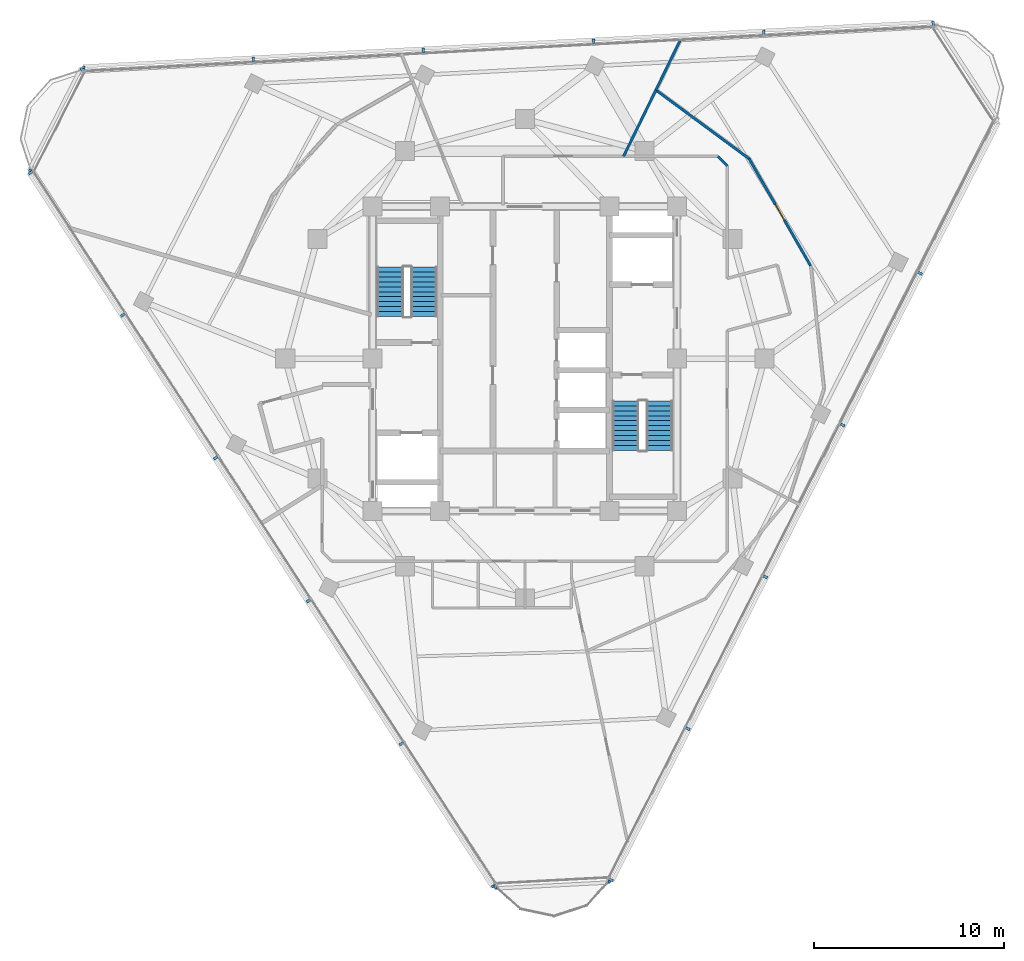
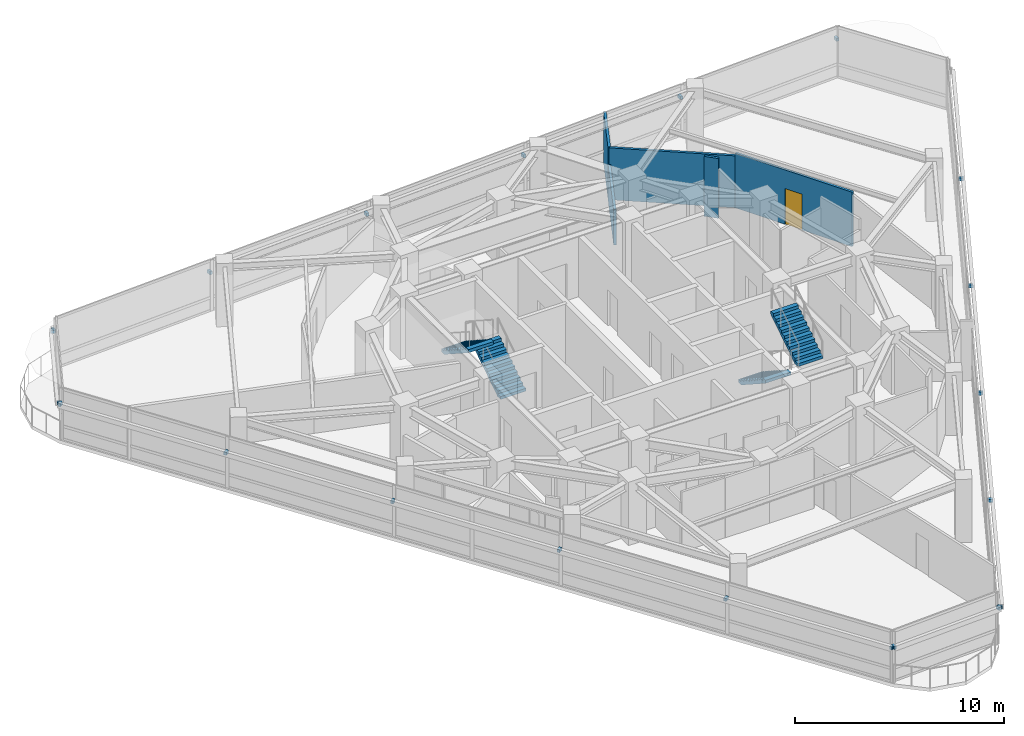
# One storey, part 10 of 15: 21 discrete accessories, 5 walls, 4 stair flights, 1 door, 1 opening, 2 elements without a shape of their own.
"""IFC4 building model written with IfcOpenShell, lengths in metres."""

import ifcopenshell
import ifcopenshell.guid

model = None  # the IFC model being written
_history = None  # IfcOwnerHistory: only IFC2X3 demands one
_inside = {}  # id of a spatial element -> (the spatial element, [elements in it])
_under = {}  # id of a project, library or spatial element -> (it, [spatial elements below it])
_declared = {}  # id of a project -> (the project, [libraries it declares])
_typed = {}  # id of a type object -> (the type object, [elements of that type])
_made_of = {}  # id of a material, layer set ... -> (it, [elements and type objects made of it])


def new_model(schema):
    """Start an empty IFC model of exactly this schema.

    Asked for "IFC4X3", IfcOpenShell would pick the latest addendum, in which some entities
    have other attributes; the version numbers below select the first issue.
    IFC2X3 requires an IfcOwnerHistory on every rooted entity: one is made here for all.
    """
    global model, _history
    if schema == "IFC4X3":
        model = ifcopenshell.file(schema_version=(4, 3, 0, 0))
    else:
        model = ifcopenshell.file(schema=schema)
    _inside.clear()
    _under.clear()
    _declared.clear()
    _typed.clear()
    _made_of.clear()
    _history = None
    if model.schema == "IFC2X3":
        org = make("IfcOrganization", Name="unknown")
        user = make(
            "IfcPersonAndOrganization",
            ThePerson=make("IfcPerson", FamilyName="unknown"),
            TheOrganization=org,
        )
        app = make(
            "IfcApplication",
            ApplicationDeveloper=org,
            Version="unknown",
            ApplicationFullName="unknown",
            ApplicationIdentifier="unknown",
        )
        _history = make(
            "IfcOwnerHistory",
            OwningUser=user,
            OwningApplication=app,
            ChangeAction="ADDED",
            CreationDate=0,
        )
    return model


def make(cls, **values):
    """One entity of the class cls with the attributes given. An attribute that is None is left unset."""
    return model.create_entity(
        cls, **{name: value for name, value in values.items() if value is not None}
    )


def rooted(cls, **values):
    """An entity with a GlobalId (a new one), such as an element, a storey or a relation."""
    return make(cls, GlobalId=ifcopenshell.guid.new(), OwnerHistory=_history, **values)


def si_unit(unit_type, name, prefix=None):
    """IfcSIUnit, for example si_unit("LENGTHUNIT", "METRE", prefix="MILLI")."""
    return make("IfcSIUnit", UnitType=unit_type, Prefix=prefix, Name=name)


def assignment(units):
    """IfcUnitAssignment: the units of a project."""
    return None if units is None else make("IfcUnitAssignment", Units=units)


def point(xyz):
    """IfcCartesianPoint."""
    return None if xyz is None else make("IfcCartesianPoint", Coordinates=xyz)


def direction(xyz):
    """IfcDirection."""
    return None if xyz is None else make("IfcDirection", DirectionRatios=xyz)


def frame(location, z_axis=None, x_axis=None):
    """IfcAxis2Placement3D, a coordinate frame: its origin and axes. An axis left out is left unset."""
    return make(
        "IfcAxis2Placement3D",
        Location=point(location),
        Axis=direction(z_axis),
        RefDirection=direction(x_axis),
    )


def frame_2d(location, x_axis=None):
    """IfcAxis2Placement2D, a coordinate frame in the plane: its origin and x axis."""
    return make(
        "IfcAxis2Placement2D", Location=point(location), RefDirection=direction(x_axis)
    )


def origin():
    """The frame at (0, 0, 0) with its axes left unset."""
    return frame((0.0, 0.0, 0.0))


def origin_2d():
    """The frame at (0, 0) in the plane with its x axis left unset."""
    return frame_2d((0.0, 0.0))


def place(relative_to, where):
    """IfcLocalPlacement: puts the frame where relative to a parent placement (None: the world)."""
    return make(
        "IfcLocalPlacement", PlacementRelTo=relative_to, RelativePlacement=where
    )


def context(
    kind, dimensions, precision=None, world=None, true_north=None, identifier=None
):
    """IfcGeometricRepresentationContext, for example the 3D "Model" context."""
    return make(
        "IfcGeometricRepresentationContext",
        ContextIdentifier=identifier,
        ContextType=kind,
        CoordinateSpaceDimension=dimensions,
        Precision=precision,
        WorldCoordinateSystem=world,
        TrueNorth=true_north,
    )


def subcontext(parent, identifier, kind, view, scale=None):
    """IfcGeometricRepresentationSubContext, for example "Body" below "Model"."""
    return make(
        "IfcGeometricRepresentationSubContext",
        ContextIdentifier=identifier,
        ContextType=kind,
        ParentContext=parent,
        TargetScale=scale,
        TargetView=view,
    )


def project(units=None, contexts=None):
    """IfcProject with its units and contexts."""
    return rooted(
        "IfcProject",
        Name="project",
        RepresentationContexts=contexts,
        UnitsInContext=assignment(units),
    )


def spatial(cls, under=None, at=None, **own):
    """A site, building, storey or space (cls), placed at a placement, below another one or the project."""
    s = rooted(cls, ObjectPlacement=at, **own)
    if under is not None:
        _under.setdefault(under.id(), (under, []))[1].append(s)
    return s


def polyline(points):
    """IfcPolyline through the points."""
    return make("IfcPolyline", Points=[point(p) for p in points])


def profile(cls, at=None, kind="AREA", **sizes):
    """A parametric profile (cls). Its sizes go by their IFC names, for example OverallWidth=200.0."""
    return make(cls, ProfileType=kind, Position=at, **sizes)


def rectangle(**sizes):
    """IfcRectangleProfileDef."""
    return profile("IfcRectangleProfileDef", **sizes)


def outline(outer, holes=None, kind="AREA"):
    """IfcArbitraryClosedProfileDef: a profile drawn as a closed curve; with holes, ...WithVoids."""
    if holes is None:
        return make("IfcArbitraryClosedProfileDef", ProfileType=kind, OuterCurve=outer)
    return make(
        "IfcArbitraryProfileDefWithVoids",
        ProfileType=kind,
        OuterCurve=outer,
        InnerCurves=holes,
    )


def extrude(swept, where, along, depth):
    """IfcExtrudedAreaSolid: the profile swept, set in the frame where, extruded along a direction by depth."""
    return make(
        "IfcExtrudedAreaSolid",
        SweptArea=swept,
        Position=where,
        ExtrudedDirection=direction(along),
        Depth=depth,
    )


def shape(context_of_items, identifier, shape_type, items):
    """IfcShapeRepresentation: the items that make up one representation, for example the "Body"."""
    return make(
        "IfcShapeRepresentation",
        ContextOfItems=context_of_items,
        RepresentationIdentifier=identifier,
        RepresentationType=shape_type,
        Items=items,
    )


def material(Name=None, Category=None):
    """IfcMaterial."""
    return make("IfcMaterial", Name=Name, Category=Category)


def layer(
    of_material, thickness, ventilated=None, Name=None, Category=None, Priority=None
):
    """IfcMaterialLayer: one layer of a wall or slab, of a material (None: an air gap)."""
    return make(
        "IfcMaterialLayer",
        Material=of_material,
        LayerThickness=thickness,
        IsVentilated=ventilated,
        Name=Name,
        Category=Category,
        Priority=Priority,
    )


def layer_set(layers, Name=None):
    """IfcMaterialLayerSet."""
    return make("IfcMaterialLayerSet", MaterialLayers=layers, LayerSetName=Name)


def made_of(thing, what):
    """Note that an element or type object is made of a material, layer set ...; save() writes the relation."""
    if what is not None:
        _made_of.setdefault(what.id(), (what, []))[1].append(thing)
    return thing


def type_object(cls, material=None, **own):
    """A type object (cls), such as IfcWallType, which elements share."""
    return made_of(rooted(cls, **own), material)


def element(
    cls,
    number,
    at=None,
    inside=None,
    cuts=None,
    type_object=None,
    material=None,
    context=None,
    identifier="Body",
    shape_type=None,
    held_by="IfcProductDefinitionShape",
    body=None,
    shapes=None,
    **own,
):
    """One element of the class cls, such as IfcWall. Its Tag is "e" and its number.

    at: its placement. inside: the storey or other place that contains it. cuts: it is an
    opening in that element (IfcRelVoidsElement). A single representation is given by context,
    identifier, shape_type and body (its items); several are given by shapes. held_by: the class
    of the entity that holds the representations. save() writes the other relations.
    """
    e = rooted(cls, Tag="e%d" % number, ObjectPlacement=at, **own)
    if body is not None:
        shapes = [shape(context, identifier, shape_type, body)]
    if shapes is not None:
        e.Representation = make(held_by, Representations=shapes)
    if inside is not None:
        _inside.setdefault(inside.id(), (inside, []))[1].append(e)
    if cuts is not None:
        rooted(
            "IfcRelVoidsElement", RelatingBuildingElement=cuts, RelatedOpeningElement=e
        )
    if type_object is not None:
        _typed.setdefault(type_object.id(), (type_object, []))[1].append(e)
    return made_of(e, material)


def fill(opening, filler):
    """IfcRelFillsElement: the door or window that sits in an opening."""
    return rooted(
        "IfcRelFillsElement",
        RelatingOpeningElement=opening,
        RelatedBuildingElement=filler,
    )


def aggregate(whole, parts):
    """IfcRelAggregates: a whole, such as a stair, and the parts it consists of."""
    return rooted("IfcRelAggregates", RelatingObject=whole, RelatedObjects=parts)


def save(model, path):
    """Write the relations noted so far, then the file.

    IfcRelAggregates (storeys below a building ...), IfcRelContainedInSpatialStructure (elements
    in a storey), IfcRelDefinesByType, IfcRelAssociatesMaterial and IfcRelDeclares: one each for
    every whole, place, type object, material and project.
    """
    for whole, parts in _under.values():
        aggregate(whole, parts)
    for where, things in _inside.values():
        rooted(
            "IfcRelContainedInSpatialStructure",
            RelatedElements=things,
            RelatingStructure=where,
        )
    for kind, things in _typed.values():
        rooted("IfcRelDefinesByType", RelatedObjects=things, RelatingType=kind)
    for what, things in _made_of.values():
        rooted("IfcRelAssociatesMaterial", RelatedObjects=things, RelatingMaterial=what)
    for by, libraries in _declared.values():
        rooted("IfcRelDeclares", RelatingContext=by, RelatedDefinitions=libraries)
    model.write(path)


model = new_model("IFC4")

# Units and contexts
model_context = context("Model", 3, precision=1e-05, world=origin(), true_north=direction((0.0, 1.0)))
body_context = subcontext(model_context, "Body", "Model", "MODEL_VIEW")
ifc_project = project(units=[si_unit("LENGTHUNIT", "METRE"), si_unit("AREAUNIT", "SQUARE_METRE"), si_unit("VOLUMEUNIT", "CUBIC_METRE"), si_unit("PLANEANGLEUNIT", "RADIAN"), si_unit("MASSUNIT", "GRAM", prefix="KILO")], contexts=[model_context])

# Site, building, storey
site_placement = place(None, origin())
site = spatial("IfcSite", under=ifc_project, at=site_placement, CompositionType="ELEMENT")
building_placement = place(site_placement, origin())
building = spatial("IfcBuilding", under=site, at=building_placement, Name="Terralouvre Media Tower", CompositionType="ELEMENT")
storey_placement = place(building_placement, frame((0.0, 0.0, 267.0)))
storey = spatial("IfcBuildingStorey", under=building, at=storey_placement, Name="L69", CompositionType="ELEMENT", Elevation=267.0)

# Wall
ifc_material_1 = material(Name="Fire-rated gypsum board drywall partition")
ifc_layer = layer(ifc_material_1, 0.135009765625, Name="Newsroom Acoustic Partition PT-135")
ifc_layer_set = layer_set([ifc_layer], Name="Fire-rated gypsum board drywall partition")
wall_type = type_object("IfcWallType", Name="Newsroom Acoustic Partition PT-135", PredefinedType="PARTITIONING", material=ifc_layer_set)
wall_1_placement = place(storey_placement, frame((10.64990234375, 10.14990234375, 0.0), z_axis=(0.0, 0.0, 1.0), x_axis=(-0.707106781187, 0.707106781187, 0.0)))
element("IfcWall", 1, at=wall_1_placement, inside=storey, type_object=wall_type, Name="L69 Interior Partition 011", PredefinedType="PARTITIONING", context=body_context, shape_type="SweptSolid", body=[
    extrude(rectangle(XDim=0.70703125, YDim=0.135009765625, at=frame_2d((0.353515625, 0.0))), origin(), (0.0, 0.0, 1.0), 3.5),
])

# Wall, opening, door
wall_2_placement = place(storey_placement, frame((15.027099609375, 4.882080078125, 0.0), z_axis=(0.0, 0.0, 1.0), x_axis=(-0.498082419026, 0.867129692639, 0.0)))
wall_2 = element("IfcWall", 2, at=wall_2_placement, inside=storey, type_object=wall_type, Name="L69 Interior Partition 030", PredefinedType="PARTITIONING", context=body_context, shape_type="SweptSolid", body=[
    extrude(rectangle(XDim=6.5029296875, YDim=0.135009765625, at=frame_2d((3.25146484375, 0.0))), origin(), (0.0, 0.0, 1.0), 3.18505859375),
])
opening_placement = place(wall_2_placement, frame((2.79150390625, 0.0, 0.0)))
opening = element("IfcOpeningElement", 3, at=opening_placement, cuts=wall_2, Name="Opening ID-03-92X210", PredefinedType="OPENING", context=body_context, shape_type="SweptSolid", body=[
    extrude(rectangle(XDim=0.919921875, YDim=2.10009765625, at=frame_2d((0.4599609375, 1.050048828125))), frame((0.0, 0.077392578125, 0.0), z_axis=(0.0, -1.0, 0.0), x_axis=(1.0, 0.0, 0.0)), (0.0, 0.0, 1.0), 0.155029296875),
])
ifc_material_2 = material(Name="Engineered hardwood acoustic timber leaf", Category="wood")
door_type = type_object("IfcDoorType", Name="Accessible Restroom and Suite Door ID-03 (920x2100)", OperationType="NOTDEFINED", PredefinedType="DOOR", material=ifc_material_2)
door_placement = place(opening_placement, origin())
door = element("IfcDoor", 4, at=door_placement, inside=storey, type_object=door_type, Name="L69 Breaking Desk Editorial Office 6 Door", OperationType="SINGLE_SWING_LEFT", OverallHeight=2.10009765625, OverallWidth=0.919921875, PredefinedType="DOOR", context=body_context, shape_type="SweptSolid", body=[
    extrude(rectangle(XDim=0.919921875, YDim=2.10009765625, at=frame_2d((0.4599609375, 1.050048828125))), frame((0.0, 0.02490234375, 0.0), z_axis=(0.0, -1.0, 0.0), x_axis=(1.0, 0.0, 0.0)), (0.0, 0.0, 1.0), 0.050048828125),
])
fill(opening, door)

# Walls
wall_3_placement = place(storey_placement, frame((11.7880859375, 10.52099609375, 0.0), z_axis=(0.0, 0.0, 1.0), x_axis=(-0.805162772786, 0.593053883993, 0.0)))
element("IfcWall", 5, at=wall_3_placement, inside=storey, type_object=wall_type, Name="L69 Interior Partition 031", PredefinedType="PARTITIONING", context=body_context, shape_type="SweptSolid", body=[
    extrude(rectangle(XDim=6.08203125, YDim=0.135009765625, at=frame_2d((3.041015625, 0.0))), origin(), (0.0, 0.0, 1.0), 3.034912109375),
])
wall_4_placement = place(storey_placement, frame((6.89111328125, 14.1279296875, 0.0), z_axis=(0.0, 0.0, 1.0), x_axis=(-0.438511877771, -0.898725393573, 0.0)))
element("IfcWall", 6, at=wall_4_placement, inside=storey, type_object=wall_type, Name="L69 Interior Partition 032", PredefinedType="PARTITIONING", context=body_context, shape_type="SweptSolid", body=[
    extrude(rectangle(XDim=3.869873046875, YDim=0.135009765625, at=frame_2d((1.93505859375, 0.0))), origin(), (0.0, 0.0, 1.0), 2.074951171875),
])
wall_5_placement = place(storey_placement, frame((8.19580078125, 16.8046875, 0.0), z_axis=(0.0, 0.0, 1.0), x_axis=(-0.438139314435, -0.898907081486, 0.0)))
element("IfcWall", 7, at=wall_5_placement, inside=storey, type_object=wall_type, Name="L69 Interior Partition 046", PredefinedType="PARTITIONING", context=body_context, shape_type="SweptSolid", body=[
    extrude(rectangle(XDim=2.977783203125, YDim=0.135009765625, at=frame_2d((1.48876953125, 0.0))), origin(), (0.0, 0.0, 1.0), 3.02490234375),
])

# Stair, stair flights
ifc_material_3 = material(Name="Concrete C45/55", Category="concrete")
stair_type_1 = type_object("IfcStairType", Name="Dogleg Stair Assembly ST-01", PredefinedType="HALF_TURN_STAIR", material=ifc_material_3)
stair_1_placement = place(storey_placement, origin())
stair_1 = element("IfcStair", 8, at=stair_1_placement, inside=storey, type_object=stair_type_1, Name="L69 Core Pressurised Exit Stair ST-01", PredefinedType="HALF_TURN_STAIR")
ifc_material_4 = material(Name="Concrete C45/55", Category="concrete")
stair_flight_type = type_object("IfcStairFlightType", Name="Reinforced Concrete Stair Flight SF-RC1", PredefinedType="STRAIGHT", material=ifc_material_4)
stair_flight_1_placement = place(storey_placement, frame((-5.300048828125, 2.219970703125, 0.0), z_axis=(0.0, 0.0, 1.0), x_axis=(0.0, 1.0, 0.0)))
stair_flight_1 = element("IfcStairFlight", 9, at=stair_flight_1_placement, type_object=stair_flight_type, Name="ST-01 flight 1", NumberOfRisers=11, NumberOfTreads=10, PredefinedType="STRAIGHT", RiserHeight=0.168181818, TreadLength=0.26, context=body_context, shape_type="SweptSolid", body=[
    extrude(outline(polyline([(0.0, 0.0), (0.0, 0.168212890625), (0.260009765625, 0.168212890625), (0.260009765625, 0.33642578125), (0.52001953125, 0.33642578125), (0.52001953125, 0.504638671875), (0.780029296875, 0.504638671875), (0.780029296875, 0.672607421875), (1.0400390625, 0.672607421875), (1.0400390625, 0.8408203125), (1.300048828125, 0.8408203125), (1.300048828125, 1.009033203125), (1.56005859375, 1.009033203125), (1.56005859375, 1.17724609375), (1.820068359375, 1.17724609375), (1.820068359375, 1.345458984375), (2.080078125, 1.345458984375), (2.080078125, 1.513671875), (2.340087890625, 1.513671875), (2.340087890625, 1.681884765625), (2.60009765625, 1.681884765625), (2.60009765625, 1.85009765625), (2.60009765625, 1.503173828125), (0.27587890625, 0.0), (0.0, 0.0)])), frame((0.0, 0.699951171875, 0.0), z_axis=(0.0, -1.0, 0.0), x_axis=(1.0, 0.0, 0.0)), (0.0, 0.0, 1.0), 1.39990234375),
])
stair_flight_2_placement = place(storey_placement, frame((-7.080078125, 4.820068359375, 1.85009765625), z_axis=(0.0, 0.0, 1.0), x_axis=(0.0, -1.0, 0.0)))
stair_flight_2 = element("IfcStairFlight", 10, at=stair_flight_2_placement, type_object=stair_flight_type, Name="ST-01 flight 2", NumberOfRisers=11, NumberOfTreads=10, PredefinedType="STRAIGHT", RiserHeight=0.168181818, TreadLength=0.26, context=body_context, shape_type="SweptSolid", body=[
    extrude(outline(polyline([(0.0, 0.0), (0.0, 0.168212890625), (0.260009765625, 0.168212890625), (0.260009765625, 0.33642578125), (0.52001953125, 0.33642578125), (0.52001953125, 0.504638671875), (0.780029296875, 0.504638671875), (0.780029296875, 0.672607421875), (1.0400390625, 0.672607421875), (1.0400390625, 0.8408203125), (1.300048828125, 0.8408203125), (1.300048828125, 1.009033203125), (1.56005859375, 1.009033203125), (1.56005859375, 1.17724609375), (1.820068359375, 1.17724609375), (1.820068359375, 1.345458984375), (2.080078125, 1.345458984375), (2.080078125, 1.513671875), (2.340087890625, 1.513671875), (2.340087890625, 1.681884765625), (2.60009765625, 1.681884765625), (2.60009765625, 1.85009765625), (2.60009765625, 1.503173828125), (0.27587890625, 0.0), (0.0, 0.0)])), frame((0.0, 0.699951171875, 0.0), z_axis=(0.0, -1.0, 0.0), x_axis=(1.0, 0.0, 0.0)), (0.0, 0.0, 1.0), 1.39990234375),
])
aggregate(stair_1, [stair_flight_1, stair_flight_2])

ifc_material_5 = material(Name="Concrete C45/55", Category="concrete")
stair_type_2 = type_object("IfcStairType", Name="Dogleg Stair Assembly ST-02", PredefinedType="HALF_TURN_STAIR", material=ifc_material_5)
stair_2_placement = place(storey_placement, origin())
stair_2 = element("IfcStair", 11, at=stair_2_placement, inside=storey, type_object=stair_type_2, Name="L69 Core Pressurised Exit Stair ST-02", PredefinedType="HALF_TURN_STAIR")
stair_flight_3_placement = place(storey_placement, frame((5.300048828125, -2.219970703125, 0.0), z_axis=(0.0, 0.0, 1.0), x_axis=(0.0, -1.0, 0.0)))
stair_flight_3 = element("IfcStairFlight", 12, at=stair_flight_3_placement, type_object=stair_flight_type, Name="ST-02 flight 1", NumberOfRisers=11, NumberOfTreads=10, PredefinedType="STRAIGHT", RiserHeight=0.168181818, TreadLength=0.26, context=body_context, shape_type="SweptSolid", body=[
    extrude(outline(polyline([(0.0, 0.0), (0.0, 0.168212890625), (0.260009765625, 0.168212890625), (0.260009765625, 0.33642578125), (0.52001953125, 0.33642578125), (0.52001953125, 0.504638671875), (0.780029296875, 0.504638671875), (0.780029296875, 0.672607421875), (1.0400390625, 0.672607421875), (1.0400390625, 0.8408203125), (1.300048828125, 0.8408203125), (1.300048828125, 1.009033203125), (1.56005859375, 1.009033203125), (1.56005859375, 1.17724609375), (1.820068359375, 1.17724609375), (1.820068359375, 1.345458984375), (2.080078125, 1.345458984375), (2.080078125, 1.513671875), (2.340087890625, 1.513671875), (2.340087890625, 1.681884765625), (2.60009765625, 1.681884765625), (2.60009765625, 1.85009765625), (2.60009765625, 1.503173828125), (0.27587890625, 0.0), (0.0, 0.0)])), frame((0.0, 0.699951171875, 0.0), z_axis=(0.0, -1.0, 0.0), x_axis=(1.0, 0.0, 0.0)), (0.0, 0.0, 1.0), 1.39990234375),
])
stair_flight_4_placement = place(storey_placement, frame((7.080078125, -4.820068359375, 1.85009765625), z_axis=(0.0, 0.0, 1.0), x_axis=(0.0, 1.0, 0.0)))
stair_flight_4 = element("IfcStairFlight", 13, at=stair_flight_4_placement, type_object=stair_flight_type, Name="ST-02 flight 2", NumberOfRisers=11, NumberOfTreads=10, PredefinedType="STRAIGHT", RiserHeight=0.168181818, TreadLength=0.26, context=body_context, shape_type="SweptSolid", body=[
    extrude(outline(polyline([(0.0, 0.0), (0.0, 0.168212890625), (0.260009765625, 0.168212890625), (0.260009765625, 0.33642578125), (0.52001953125, 0.33642578125), (0.52001953125, 0.504638671875), (0.780029296875, 0.504638671875), (0.780029296875, 0.672607421875), (1.0400390625, 0.672607421875), (1.0400390625, 0.8408203125), (1.300048828125, 0.8408203125), (1.300048828125, 1.009033203125), (1.56005859375, 1.009033203125), (1.56005859375, 1.17724609375), (1.820068359375, 1.17724609375), (1.820068359375, 1.345458984375), (2.080078125, 1.345458984375), (2.080078125, 1.513671875), (2.340087890625, 1.513671875), (2.340087890625, 1.681884765625), (2.60009765625, 1.681884765625), (2.60009765625, 1.85009765625), (2.60009765625, 1.503173828125), (0.27587890625, 0.0), (0.0, 0.0)])), frame((0.0, 0.699951171875, 0.0), z_axis=(0.0, -1.0, 0.0), x_axis=(1.0, 0.0, 0.0)), (0.0, 0.0, 1.0), 1.39990234375),
])
aggregate(stair_2, [stair_flight_3, stair_flight_4])

# Discrete accessories
ifc_material_6 = material(Name="Anodised extruded aluminium 6063-T6", Category="aluminium")
discrete_accessory_type = type_object("IfcDiscreteAccessoryType", Name="Mullion Stand-Off Baguette Fixing Bracket BK-01", PredefinedType="BRACKET", material=ifc_material_6)
for number, where, z_axis, x_axis, name in (
    (14, (4.52490234375, -27.403564453125, 2.07421875), (0.0, 0.0, 1.0), (0.45399044259, 0.891006553308, 0.0), "CW-L69-F0 Baguette Outrigger Bracket 1.01"),
    (15, (8.57568359375, -19.45361328125, 2.07421875), (0.0, 0.0, 1.0), (0.45399044259, 0.891006553308, 0.0), "CW-L69-F0 Baguette Outrigger Bracket 1.02"),
    (16, (12.643310546875, -11.47021484375, 2.07421875), (0.0, 0.0, 1.0), (0.45399044259, 0.891006553308, 0.0), "CW-L69-F0 Baguette Outrigger Bracket 1.03"),
    (17, (16.711181640625, -3.48681640625, 2.07421875), (0.0, 0.0, 1.0), (0.45399044259, 0.891006553308, 0.0), "CW-L69-F0 Baguette Outrigger Bracket 1.04"),
    (18, (20.77880859375, 4.49658203125, 2.07421875), (0.0, 0.0, 1.0), (0.45399044259, 0.891006553308, 0.0), "CW-L69-F0 Baguette Outrigger Bracket 1.05"),
    (19, (21.4697265625, 17.620361328125, 2.07421875), (0.0, 0.0, 1.0), (-0.998629523875, -0.052336163844, 0.0), "CW-L69-F1 Baguette Outrigger Bracket 1.01"),
    (20, (12.5595703125, 17.153564453125, 2.07421875), (0.0, 0.0, 1.0), (-0.998629523875, -0.052336163844, 0.0), "CW-L69-F1 Baguette Outrigger Bracket 1.02"),
    (21, (3.61181640625, 16.6845703125, 2.07421875), (0.0, 0.0, 1.0), (-0.998629523875, -0.052336163844, 0.0), "CW-L69-F1 Baguette Outrigger Bracket 1.03"),
    (22, (-5.3359375, 16.215576171875, 2.07421875), (0.0, 0.0, 1.0), (-0.998629523875, -0.052336163844, 0.0), "CW-L69-F1 Baguette Outrigger Bracket 1.04"),
    (23, (-14.28369140625, 15.74658203125, 2.07421875), (0.0, 0.0, 1.0), (-0.998629523875, -0.052336163844, 0.0), "CW-L69-F1 Baguette Outrigger Bracket 1.05"),
    (24, (-23.194091796875, 15.27978515625, 2.07421875), (0.0, 0.0, 1.0), (-0.998629523875, -0.052336163844, 0.0), "CW-L69-F1 Baguette Outrigger Bracket 1.06"),
    (25, (-25.99462890625, 9.783203125, 2.07421875), (0.0, 0.0, 1.0), (0.544639069077, -0.838670545826, 0.0), "CW-L69-F2 Baguette Outrigger Bracket 1.01"),
    (26, (-21.135009765625, 2.300048828125, 2.07421875), (0.0, 0.0, 1.0), (0.544639069077, -0.838670545826, 0.0), "CW-L69-F2 Baguette Outrigger Bracket 1.02"),
    (27, (-16.255126953125, -5.21435546875, 2.07421875), (0.0, 0.0, 1.0), (0.544639069077, -0.838670545826, 0.0), "CW-L69-F2 Baguette Outrigger Bracket 1.03"),
    (28, (-11.375244140625, -12.72900390625, 2.07421875), (0.0, 0.0, 1.0), (0.544639069077, -0.838670545826, 0.0), "CW-L69-F2 Baguette Outrigger Bracket 1.04"),
    (29, (-6.4951171875, -20.243408203125, 2.07421875), (0.0, 0.0, 1.0), (0.544639069077, -0.838670545826, 0.0), "CW-L69-F2 Baguette Outrigger Bracket 1.05"),
    (30, (-1.6357421875, -27.726318359375, 2.07421875), (0.0, 0.0, 1.0), (0.544639069077, -0.838670545826, 0.0), "CW-L69-F2 Baguette Outrigger Bracket 1.06"),
    (31, (-1.543212890625, -27.754150390625, 2.07421875), (0.0, 0.0, 1.0), (0.998629533744, 0.05233597552, 0.0), "CW-L69-C0 Baguette Outrigger Bracket 1.01"),
    (32, (4.435791015625, -27.440673828125, 2.07421875), (0.0, 0.0, 1.0), (0.998629533744, 0.05233597552, 0.0), "CW-L69-C0 Baguette Outrigger Bracket 1.02"),
    (33, (-23.26416015625, 15.21337890625, 2.07421875), (0.0, 0.0, 1.0), (-0.453990349937, -0.891006600517, 0.0), "CW-L69-C2 Baguette Outrigger Bracket 1.01"),
    (34, (-25.982177734375, 9.87890625, 2.07421875), (0.0, 0.0, 1.0), (-0.453990349937, -0.891006600517, 0.0), "CW-L69-C2 Baguette Outrigger Bracket 1.02"),
):
    element("IfcDiscreteAccessory", number, at=place(storey_placement, frame(where, z_axis=z_axis, x_axis=x_axis)), inside=storey, type_object=discrete_accessory_type, Name=name, PredefinedType="BRACKET", context=body_context, shape_type="SweptSolid", body=[
        extrude(rectangle(XDim=0.139892578125, YDim=0.239990234375, at=origin_2d()), origin(), (0.0, 0.0, 1.0), 0.179931640625),
    ])

save(model, "model.ifc")
